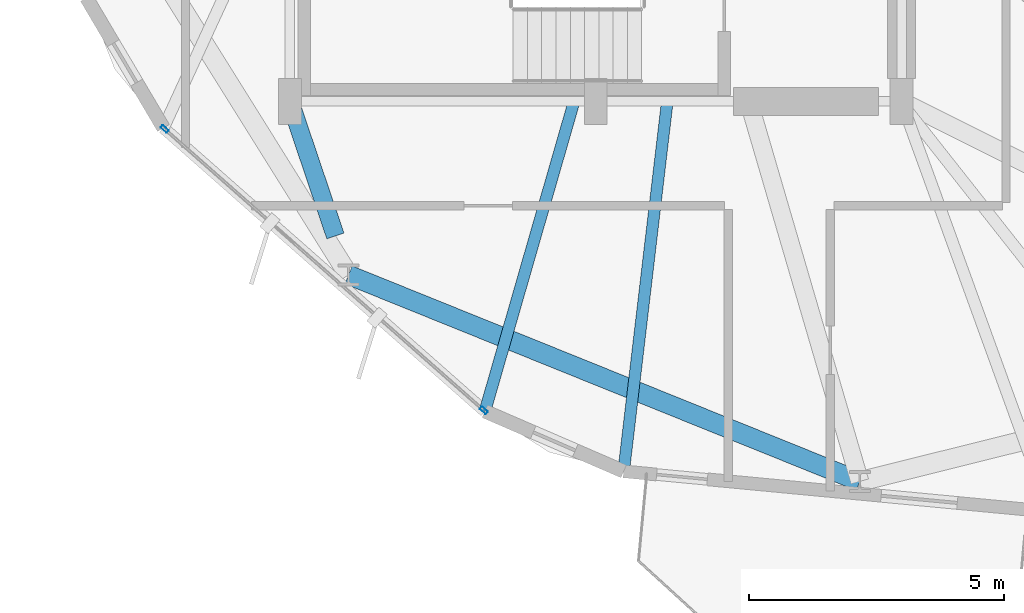
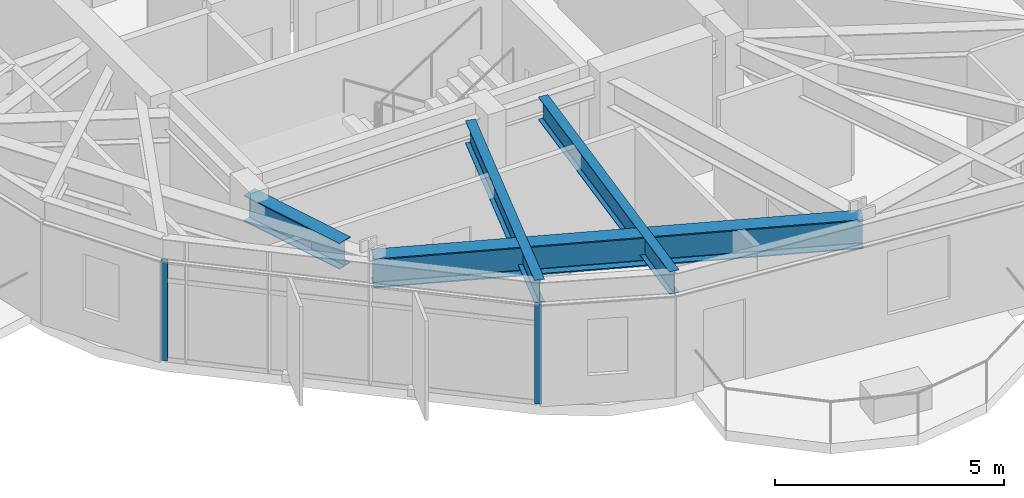
# One storey, part 2 of 21: 4 beams, 2 members, 1 element without a shape of its own.
"""IFC4 building model written with IfcOpenShell, lengths in metres."""

from ifc_helpers import new_model, si_unit, direction, frame, origin, origin_2d, place, context, subcontext, project, spatial, hollow_rectangle, i_section, extrude, material, layer, layer_set, material_profile, profile_set, type_object, element, aggregate, save


model = new_model("IFC4")

# Units and contexts
model_context = context("Model", 3, precision=1e-05, world=origin(), true_north=direction((0.0, 1.0)))
body_context = subcontext(model_context, "Body", "Model", "MODEL_VIEW")
ifc_project = project(units=[si_unit("LENGTHUNIT", "METRE"), si_unit("AREAUNIT", "SQUARE_METRE"), si_unit("VOLUMEUNIT", "CUBIC_METRE"), si_unit("PLANEANGLEUNIT", "RADIAN"), si_unit("MASSUNIT", "GRAM", prefix="KILO")], contexts=[model_context])

# Site, building, storey
site_placement = place(None, origin())
site = spatial("IfcSite", under=ifc_project, at=site_placement, CompositionType="ELEMENT")
building_placement = place(site_placement, origin())
building = spatial("IfcBuilding", under=site, at=building_placement, Name="Soratama Intermodal Tower", CompositionType="ELEMENT")
storey_placement = place(building_placement, frame((0.0, 0.0, 146.199951171875)))
storey = spatial("IfcBuildingStorey", under=building, at=storey_placement, Name="L35", CompositionType="ELEMENT", Elevation=146.199951171875)

# Beams
ifc_material_1 = material(Name="Structural steel ASTM A992 Grade 50", Category="steel")
ifc_material_profile_1 = material_profile(ifc_material_1, i_section(OverallWidth=0.35498046875, OverallDepth=0.695068359375, WebThickness=0.015380859375, FlangeThickness=0.02490234375, FilletRadius=0.01611328125, at=origin_2d()), Name="W27X146")
ifc_profile_set_1 = profile_set([ifc_material_profile_1], Name="Structural steel ASTM A992 Grade 50")
beam_type_1 = type_object("IfcBeamType", Name="BM-RING-W27X146", PredefinedType="BEAM", material=ifc_profile_set_1)
beam_1_placement = place(storey_placement, frame((32.60009765625, 15.0, 2.95263671875), z_axis=(0.32013816754, -0.947370863856, 0.0), x_axis=(0.947370863856, 0.32013816754, 0.0)))
element("IfcBeam", 1, at=beam_1_placement, inside=storey, type_object=beam_type_1, Name="BM-L35-RAD-07", PredefinedType="BEAM", context=body_context, shape_type="SweptSolid", body=[
    extrude(i_section(OverallWidth=0.35498046875, OverallDepth=0.695068359375, WebThickness=0.015380859375, FlangeThickness=0.02490234375, FilletRadius=0.01611328125, at=origin_2d()), origin(), (0.0, 0.0, 1.0), 2.788818359375),
])
ifc_material_2 = material(Name="Structural steel ASTM A992 Grade 50", Category="steel")
ifc_material_profile_2 = material_profile(ifc_material_2, i_section(OverallWidth=0.382080078125, OverallDepth=0.779052734375, WebThickness=0.01806640625, FlangeThickness=0.030029296875, FilletRadius=0.01806640625, at=origin_2d()), Name="W30X191")
ifc_profile_set_2 = profile_set([ifc_material_profile_2], Name="Structural steel ASTM A992 Grade 50")
beam_type_2 = type_object("IfcBeamType", Name="BM-RING-W30X191", PredefinedType="BEAM", material=ifc_profile_set_2)
beam_2_placement = place(storey_placement, frame((33.7509765625, 11.593994140625, 2.91064453125), z_axis=(0.927202491827, -0.374560461275, 0.0), x_axis=(0.374560461275, 0.927202491827, 0.0)))
element("IfcBeam", 2, at=beam_2_placement, inside=storey, type_object=beam_type_2, Name="BM-L35-RING-07", PredefinedType="BEAM", context=body_context, shape_type="SweptSolid", body=[
    extrude(i_section(OverallWidth=0.382080078125, OverallDepth=0.779052734375, WebThickness=0.01806640625, FlangeThickness=0.030029296875, FilletRadius=0.01806640625, at=origin_2d()), origin(), (0.0, 0.0, 1.0), 10.8154296875),
])
ifc_material_3 = material(Name="Structural steel ASTM A992 Grade 50", Category="steel")
ifc_material_profile_3 = material_profile(ifc_material_3, i_section(OverallWidth=0.22900390625, OverallDepth=0.612060546875, WebThickness=0.011962890625, FlangeThickness=0.01953125, FilletRadius=0.012939453125, at=origin_2d()), Name="W24X84")
ifc_profile_set_3 = profile_set([ifc_material_profile_3], Name="Structural steel ASTM A992 Grade 50")
beam_type_3 = type_object("IfcBeamType", Name="BM-TIE-W24X84", PredefinedType="BEAM", material=ifc_profile_set_3)
beam_3_placement = place(storey_placement, frame((38.1650390625, 14.9619140625, 2.994140625), z_axis=(-0.276653398911, -0.960969768968, 0.0), x_axis=(0.960969768968, -0.276653398911, 0.0)))
element("IfcBeam", 3, at=beam_3_placement, inside=storey, type_object=beam_type_3, Name="BM-L35-TIE1-06", PredefinedType="BEAM", context=body_context, shape_type="SweptSolid", body=[
    extrude(i_section(OverallWidth=0.22900390625, OverallDepth=0.612060546875, WebThickness=0.011962890625, FlangeThickness=0.01953125, FilletRadius=0.012939453125, at=origin_2d()), origin(), (0.0, 0.0, 1.0), 6.289306640625),
])
beam_4_placement = place(storey_placement, frame((39.9990234375, 14.9599609375, 2.994140625), z_axis=(-0.117199749216, -0.993108362055, 0.0), x_axis=(0.993108362055, -0.117199749216, 0.0)))
element("IfcBeam", 4, at=beam_4_placement, inside=storey, type_object=beam_type_3, Name="BM-L35-TIE0-07", PredefinedType="BEAM", context=body_context, shape_type="SweptSolid", body=[
    extrude(i_section(OverallWidth=0.22900390625, OverallDepth=0.612060546875, WebThickness=0.011962890625, FlangeThickness=0.01953125, FilletRadius=0.012939453125, at=origin_2d()), origin(), (0.0, 0.0, 1.0), 7.27001953125),
])

# Curtain wall, members
ifc_material_4 = material(Name="Double-glazed aluminium curtain wall", Category="aluminium")
ifc_layer = layer(ifc_material_4, 0.159912109375)
ifc_layer_set = layer_set([ifc_layer], Name="Double-glazed aluminium curtain wall")
curtain_wall_type = type_object("IfcCurtainWallType", Name="CW-SYS-4", PredefinedType="NOTDEFINED", material=ifc_layer_set)
curtain_wall_placement = place(storey_placement, origin())
curtain_wall = element("IfcCurtainWall", 5, at=curtain_wall_placement, inside=storey, type_object=curtain_wall_type, Name="L35 Faceted Curtain Wall F06", PredefinedType="NOTDEFINED")
ifc_material_5 = material(Name="Anodised aluminium AA 6063-T6", Category="aluminium")
ifc_material_profile_4 = material_profile(ifc_material_5, hollow_rectangle(XDim=0.070068359375, YDim=0.159912109375, WallThickness=0.0048828125, InnerFilletRadius=0.0048828125, OuterFilletRadius=0.010009765625, at=origin_2d()), Name="CWM160X70X5")
ifc_profile_set_4 = profile_set([ifc_material_profile_4], Name="Anodised aluminium AA 6063-T6")
member_type = type_object("IfcMemberType", Name="MT-CWM-4", PredefinedType="MULLION", material=ifc_profile_set_4)
member_1_placement = place(storey_placement, frame((30.142578125, 14.456787109375, 0.0), z_axis=(0.0, 0.0, 1.0), x_axis=(0.661309138052, 0.750113474035, 0.0)))
member_1 = element("IfcMember", 6, at=member_1_placement, type_object=member_type, Name="CW-4 mullion 1", PredefinedType="MULLION", context=body_context, shape_type="SweptSolid", body=[
    extrude(hollow_rectangle(XDim=0.070068359375, YDim=0.159912109375, WallThickness=0.0048828125, InnerFilletRadius=0.0048828125, OuterFilletRadius=0.010009765625, at=origin_2d()), origin(), (0.0, 0.0, 1.0), 2.678955078125),
])
member_2_placement = place(storey_placement, frame((36.402099609375, 8.938232421875, 0.0), z_axis=(0.0, 0.0, 1.0), x_axis=(0.661309138052, 0.750113474035, 0.0)))
member_2 = element("IfcMember", 7, at=member_2_placement, type_object=member_type, Name="CW-4 mullion 2", PredefinedType="MULLION", context=body_context, shape_type="SweptSolid", body=[
    extrude(hollow_rectangle(XDim=0.070068359375, YDim=0.159912109375, WallThickness=0.0048828125, InnerFilletRadius=0.0048828125, OuterFilletRadius=0.010009765625, at=origin_2d()), origin(), (0.0, 0.0, 1.0), 2.678955078125),
])
aggregate(curtain_wall, [member_1, member_2])

save(model, "model.ifc")
